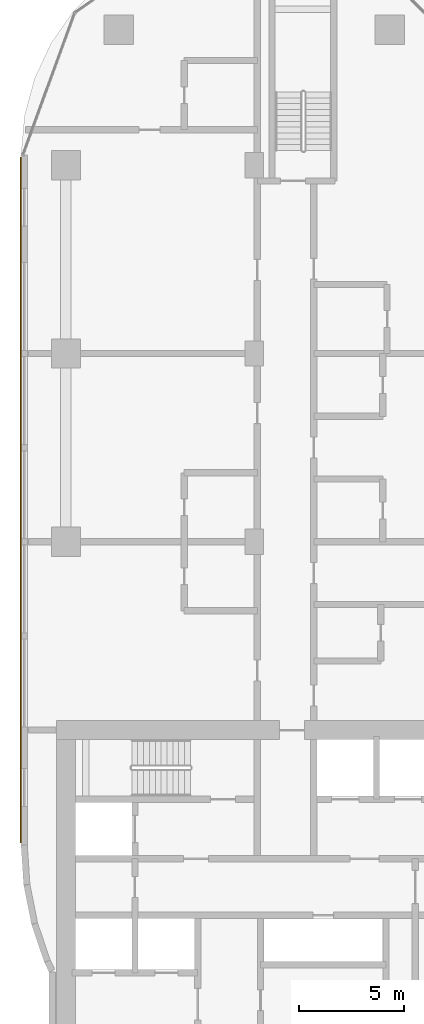
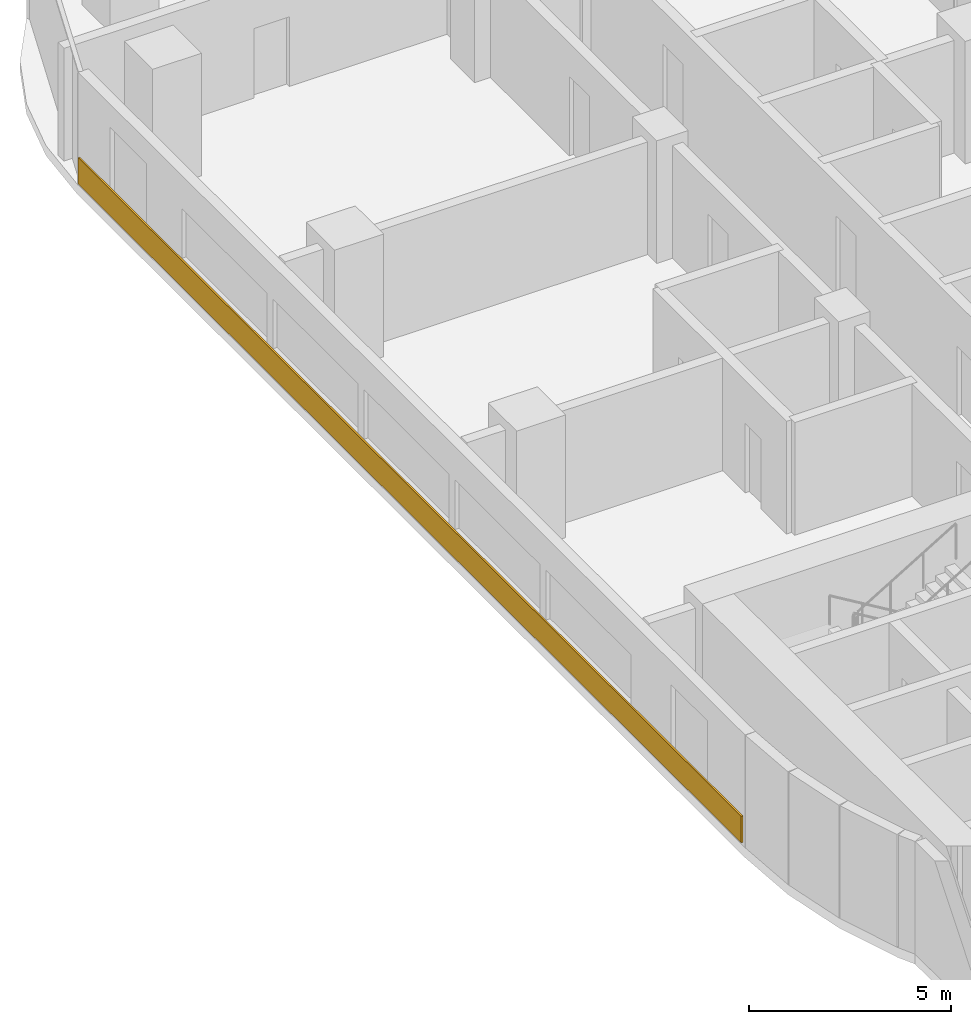
# One storey, part 30 of 32: 1 covering.
"""IFC4 building model written with IfcOpenShell, lengths in metres."""

from ifc_helpers import new_model, si_unit, direction, frame, origin, origin_2d, place, context, subcontext, project, spatial, rectangle, extrude, material, layer, layer_set, type_object, element, save


model = new_model("IFC4")

# Units and contexts
model_context = context("Model", 3, precision=1e-05, world=origin(), true_north=direction((0.0, 1.0)))
body_context = subcontext(model_context, "Body", "Model", "MODEL_VIEW")
ifc_project = project(units=[si_unit("LENGTHUNIT", "METRE"), si_unit("AREAUNIT", "SQUARE_METRE"), si_unit("VOLUMEUNIT", "CUBIC_METRE"), si_unit("PLANEANGLEUNIT", "RADIAN"), si_unit("MASSUNIT", "GRAM", prefix="KILO")], contexts=[model_context])

# Site, building, storey
site_placement = place(None, origin())
site = spatial("IfcSite", under=ifc_project, at=site_placement, CompositionType="ELEMENT")
building_placement = place(site_placement, origin())
building = spatial("IfcBuilding", under=site, at=building_placement, Name="Ogive Portal Towers", CompositionType="ELEMENT")
storey_placement = place(building_placement, frame((0.0, 0.0, 59.39990234375)))
storey = spatial("IfcBuildingStorey", under=building, at=storey_placement, Name="L13", CompositionType="ELEMENT", Elevation=59.39990234375)

# Covering
ifc_material = material(Name="Limestone cladding on lightweight block wall", Category="masonry")
ifc_layer = layer(ifc_material, 0.050048828125)
ifc_layer_set = layer_set([ifc_layer], Name="SCREEN PERFORATED STONE")
covering_type = type_object("IfcCoveringType", Name="SCREEN PERFORATED STONE", PredefinedType="CLADDING", material=ifc_layer_set)
covering_placement = place(storey_placement, frame((29.330078125, 50.497802734375, 0.10009765625), z_axis=(0.0, 0.0, 1.0), x_axis=(0.0, -1.0, 0.0)))
element("IfcCovering", 1, at=covering_placement, inside=storey, type_object=covering_type, Name="Tracery screen", PredefinedType="CLADDING", context=body_context, shape_type="SweptSolid", body=[
    extrude(rectangle(XDim=32.776123046875, YDim=0.050048828125, at=origin_2d()), origin(), (0.0, 0.0, 1.0), 0.800048828125),
])

save(model, "model.ifc")
